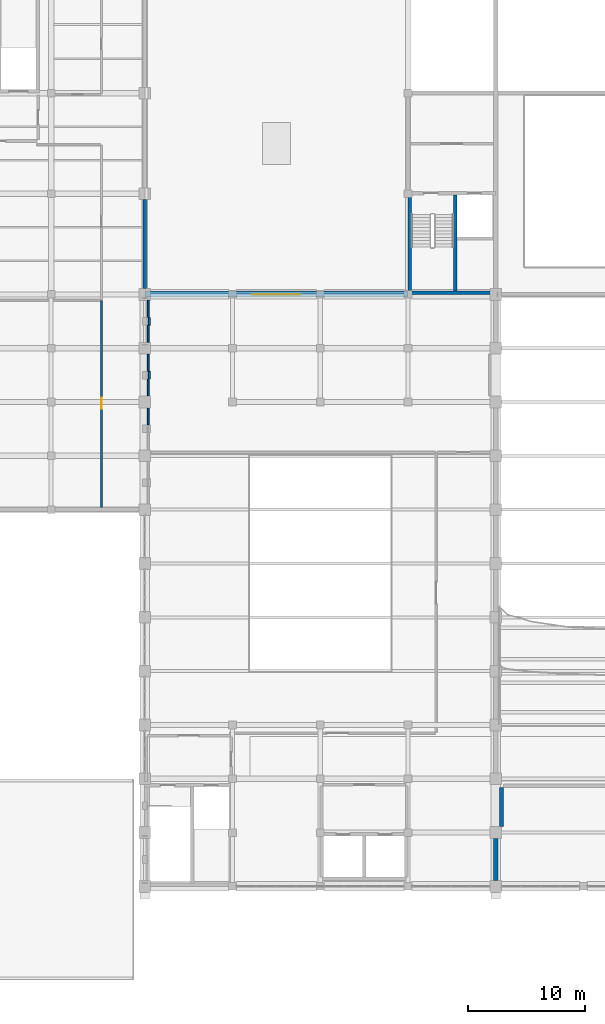
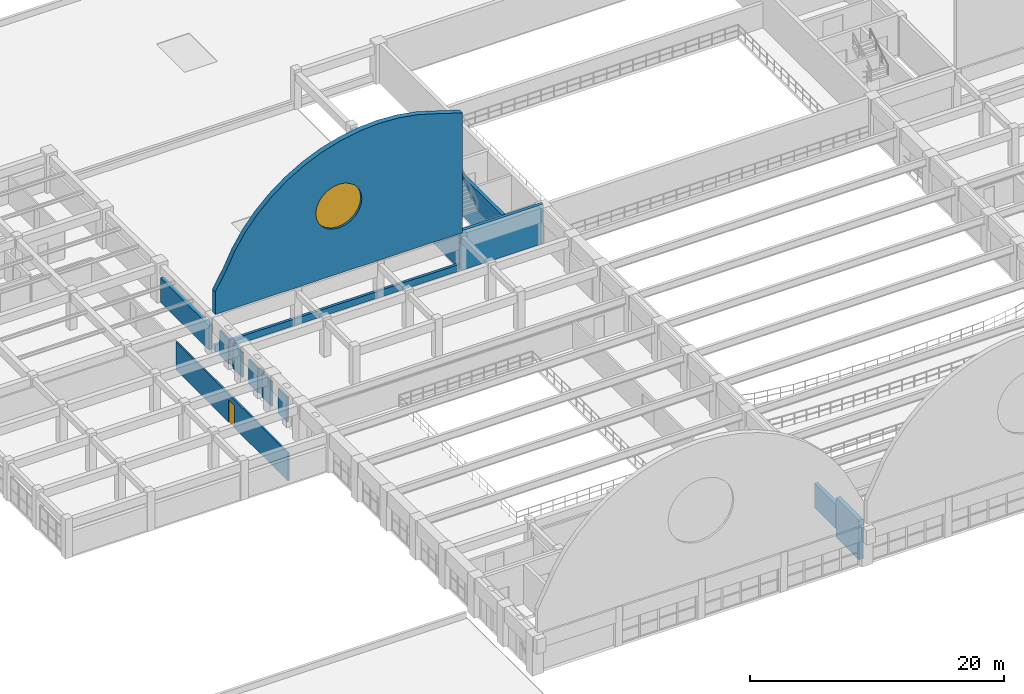
# One storey, part 56 of 74: 16 walls, 1 door, 1 window, 2 openings.
"""IFC4 building model written with IfcOpenShell, lengths in metres."""

from ifc_helpers import new_model, si_unit, direction, frame, frame_2d, origin, place, context, subcontext, project, spatial, polyline, rectangle, outline, extrude, material, layer, layer_set, type_object, element, fill, save


model = new_model("IFC4")

# Units and contexts
model_context = context("Model", 3, precision=1e-05, world=origin(), true_north=direction((0.0, 1.0)))
body_context = subcontext(model_context, "Body", "Model", "MODEL_VIEW")
ifc_project = project(units=[si_unit("LENGTHUNIT", "METRE"), si_unit("AREAUNIT", "SQUARE_METRE"), si_unit("VOLUMEUNIT", "CUBIC_METRE"), si_unit("PLANEANGLEUNIT", "RADIAN"), si_unit("MASSUNIT", "GRAM", prefix="KILO")], contexts=[model_context])

# Site, building, storey
site_placement = place(None, origin())
site = spatial("IfcSite", under=ifc_project, at=site_placement, CompositionType="ELEMENT")
building_placement = place(site_placement, origin())
building = spatial("IfcBuilding", under=site, at=building_placement, Name="Muzn Square Opera House", CompositionType="ELEMENT")
storey_placement = place(building_placement, frame((0.0, 0.0, 14.199951171875)))
storey = spatial("IfcBuildingStorey", under=building, at=storey_placement, Name="L03", CompositionType="ELEMENT", Elevation=14.199951171875)

# Walls
ifc_material_1 = material(Name="Acoustic gypsum stud partition", Category="gypsum")
ifc_layer_1 = layer(ifc_material_1, 0.320068359375, Name="Acoustic gypsum stud partition", Category="gypsum")
ifc_layer_set_1 = layer_set([ifc_layer_1], Name="Acoustic gypsum stud partition")
wall_type_1 = type_object("IfcWallType", Name="Acoustic Studio Double Wall 320mm", PredefinedType="PARTITIONING", material=ifc_layer_set_1)
wall_1_placement = place(storey_placement, frame((73.5, 27.1201171875, 0.0), z_axis=(0.0, 0.0, 1.0), x_axis=(0.0, 1.0, 0.0)))
element("IfcWall", 1, at=wall_1_placement, inside=storey, type_object=wall_type_1, Name="Room Enclosure Partition PW-L03-0371", PredefinedType="PARTITIONING", context=body_context, shape_type="SweptSolid", body=[
    extrude(rectangle(XDim=3.3349609375, YDim=0.320068359375, at=frame_2d((1.66748046875, 0.0))), origin(), (0.0, 0.0, 1.0), 2.380126953125),
])
ifc_material_2 = material(Name="Concrete C45/55", Category="concrete")
ifc_layer_2 = layer(ifc_material_2, 0.419921875, Name="Concrete C45/55", Category="concrete")
ifc_layer_set_2 = layer_set([ifc_layer_2], Name="Concrete C45/55")
wall_type_2 = type_object("IfcWallType", Name="Auditorium Acoustic Shear Wall 420mm", PredefinedType="SHEAR", material=ifc_layer_set_2)
wall_2_placement = place(storey_placement, frame((73.0, 22.489990234375, 0.0), z_axis=(0.0, 0.0, 1.0), x_axis=(0.0, 1.0, 0.0)))
element("IfcWall", 2, at=wall_2_placement, inside=storey, type_object=wall_type_2, Name="Auditorium Acoustic Shear Wall AUDW-L03-W00", PredefinedType="SHEAR", context=body_context, shape_type="SweptSolid", body=[
    extrude(rectangle(XDim=3.6201171875, YDim=0.419921875, at=frame_2d((1.81005859375, 0.0))), origin(), (0.0, 0.0, 1.0), 3.800048828125),
])
ifc_layer_3 = layer(ifc_material_2, 0.300048828125, Name="Concrete C45/55", Category="concrete")
ifc_layer_set_3 = layer_set([ifc_layer_3], Name="Concrete C45/55")
wall_type_3 = type_object("IfcWallType", Name="Core Shear Wall 300mm", PredefinedType="SHEAR", material=ifc_layer_set_3)
wall_3_placement = place(storey_placement, frame((65.5, 72.75, 0.0), z_axis=(0.0, 0.0, 1.0), x_axis=(1.0, 0.0, 0.0)))
element("IfcWall", 3, at=wall_3_placement, inside=storey, type_object=wall_type_3, Name="Core C1 Shear Wall SW-C1-L03-S", PredefinedType="SHEAR", context=body_context, shape_type="SweptSolid", body=[
    extrude(rectangle(XDim=7.5, YDim=0.300048828125, at=frame_2d((3.75, 0.0))), origin(), (0.0, 0.0, 1.0), 3.800048828125),
])
for number, where, z_axis, x_axis, name in (
    (4, (65.64990234375, 72.89990234375, 0.0), (0.0, 0.0, 1.0), (0.0, 1.0, 0.0), "Core C1 Shear Wall SW-C1-L03-W"),
    (5, (69.550048828125, 72.89990234375, 0.0), (0.0, 0.0, 1.0), (0.0, 1.0, 0.0), "Core C1 Shear Wall SW-C1-L03-DIV"),
):
    element("IfcWall", number, at=place(storey_placement, frame(where, z_axis=z_axis, x_axis=x_axis)), inside=storey, type_object=wall_type_3, Name=name, PredefinedType="SHEAR", context=body_context, shape_type="SweptSolid", body=[
        extrude(rectangle(XDim=8.2001953125, YDim=0.300048828125, at=frame_2d((4.10009765625, 0.0))), origin(), (0.0, 0.0, 1.0), 3.800048828125),
    ])
ifc_material_3 = material(Name="Concrete C40/50", Category="concrete")
ifc_layer_4 = layer(ifc_material_3, 0.340087890625, Name="Concrete C40/50", Category="concrete")
ifc_layer_set_4 = layer_set([ifc_layer_4], Name="Concrete C40/50")
wall_type_4 = type_object("IfcWallType", Name="Exterior Insulated Spandrel Wall 340mm", PredefinedType="SOLIDWALL", material=ifc_layer_set_4)
wall_4_placement = place(storey_placement, frame((43.0, 73.10009765625, 0.0), z_axis=(0.0, 0.0, 1.0), x_axis=(0.0, 1.0, 0.0)))
element("IfcWall", 6, at=wall_4_placement, inside=storey, type_object=wall_type_4, Name="Exterior Facade Wall EW-L03-226", PredefinedType="SOLIDWALL", context=body_context, shape_type="SweptSolid", body=[
    extrude(rectangle(XDim=7.599853515625, YDim=0.340087890625, at=frame_2d((3.7998046875, 0.0))), origin(), (0.0, 0.0, 1.0), 2.35009765625),
])
ifc_layer_5 = layer(ifc_material_1, 0.169921875, Name="Acoustic gypsum stud partition", Category="gypsum")
ifc_layer_set_5 = layer_set([ifc_layer_5], Name="Acoustic gypsum stud partition")
wall_type_5 = type_object("IfcWallType", Name="Gallery Partition 170mm", PredefinedType="PARTITIONING", material=ifc_layer_set_5)
wall_5_placement = place(storey_placement, frame((43.300048828125, 61.445068359375, 0.0), z_axis=(0.0, 0.0, 1.0), x_axis=(0.0, 1.0, 0.0)))
element("IfcWall", 7, at=wall_5_placement, inside=storey, type_object=wall_type_5, Name="Interior Partition PW-L03-0343", PredefinedType="PARTITIONING", context=body_context, shape_type="SweptSolid", body=[
    extrude(rectangle(XDim=1.434814453125, YDim=0.169921875, at=frame_2d((0.71728515625, 0.0))), origin(), (0.0, 0.0, 1.0), 2.380126953125),
])
for number, where, z_axis, x_axis, name in (
    (8, (43.300048828125, 63.919921875, 0.0), (0.0, 0.0, 1.0), (0.0, 1.0, 0.0), "Interior Partition PW-L03-0344"),
    (9, (43.300048828125, 66.044921875, 0.0), (0.0, 0.0, 1.0), (0.0, 1.0, 0.0), "Interior Partition PW-L03-0345"),
    (10, (43.300048828125, 68.52001953125, 0.0), (0.0, 0.0, 1.0), (0.0, 1.0, 0.0), "Interior Partition PW-L03-0346"),
    (11, (43.300048828125, 70.64501953125, 0.0), (0.0, 0.0, 1.0), (0.0, 1.0, 0.0), "Interior Partition PW-L03-0347"),
):
    element("IfcWall", number, at=place(storey_placement, frame(where, z_axis=z_axis, x_axis=x_axis)), inside=storey, type_object=wall_type_5, Name=name, PredefinedType="PARTITIONING", context=body_context, shape_type="SweptSolid", body=[
        extrude(rectangle(XDim=1.43505859375, YDim=0.169921875, at=frame_2d((0.717529296875, 0.0))), origin(), (0.0, 0.0, 1.0), 2.380126953125),
    ])
for number, where, z_axis, x_axis, name in (
    (12, (43.39990234375, 65.375, 0.0), (0.0, 0.0, 1.0), (0.0, 1.0, 0.0), "Room Enclosure Partition PW-L03-0374"),
    (13, (43.39990234375, 69.97509765625, 0.0), (0.0, 0.0, 1.0), (0.0, 1.0, 0.0), "Room Enclosure Partition PW-L03-0375"),
):
    element("IfcWall", number, at=place(storey_placement, frame(where, z_axis=z_axis, x_axis=x_axis)), inside=storey, type_object=wall_type_5, Name=name, PredefinedType="PARTITIONING", context=body_context, shape_type="SweptSolid", body=[
        extrude(rectangle(XDim=0.64990234375, YDim=0.169921875, at=frame_2d((0.324951171875, 0.0))), origin(), (0.0, 0.0, 1.0), 2.380126953125),
    ])

# Wall, opening, door
ifc_layer_6 = layer(ifc_material_1, 0.14990234375, Name="Acoustic gypsum stud partition", Category="gypsum")
ifc_layer_set_6 = layer_set([ifc_layer_6], Name="Acoustic gypsum stud partition")
wall_type_6 = type_object("IfcWallType", Name="Office Acoustic Partition 150mm", PredefinedType="PARTITIONING", material=ifc_layer_set_6)
wall_6_placement = place(storey_placement, frame((39.300048828125, 54.375, 0.0), z_axis=(0.0, 0.0, 1.0), x_axis=(0.0, 1.0, 0.0)))
wall_6 = element("IfcWall", 14, at=wall_6_placement, inside=storey, type_object=wall_type_6, Name="Interior Partition PW-L03-0367", PredefinedType="PARTITIONING", context=body_context, shape_type="SweptSolid", body=[
    extrude(rectangle(XDim=17.6650390625, YDim=0.14990234375, at=frame_2d((8.83251953125, 0.0))), origin(), (0.0, 0.0, 1.0), 2.699951171875),
])
opening_1_placement = place(wall_6_placement, frame((8.449951171875, 0.0, 0.0)))
opening_1 = element("IfcOpeningElement", 15, at=opening_1_placement, cuts=wall_6, Name="Opening DR-OF95", PredefinedType="OPENING", context=body_context, shape_type="SweptSolid", body=[
    extrude(rectangle(XDim=0.949951171875, YDim=2.14990234375, at=frame_2d((0.47509765625, 1.074951171875))), frame((0.0, 0.0849609375, 0.0), z_axis=(0.0, -1.0, 0.0), x_axis=(1.0, 0.0, 0.0)), (0.0, 0.0, 1.0), 0.169921875),
])
ifc_material_4 = material(Name="Acoustic hardwood leaf", Category="wood")
door_type = type_object("IfcDoorType", Name="Office Room Door 950x2150", OperationType="NOTDEFINED", PredefinedType="DOOR", material=ifc_material_4)
door_placement = place(opening_1_placement, origin())
door = element("IfcDoor", 16, at=door_placement, inside=storey, type_object=door_type, Name="Opera Company Administration Office Door DR-L03-0108", OperationType="SINGLE_SWING_LEFT", OverallHeight=2.14990234375, OverallWidth=0.949951171875, PredefinedType="DOOR", context=body_context, shape_type="SweptSolid", body=[
    extrude(rectangle(XDim=0.949951171875, YDim=2.14990234375, at=frame_2d((0.47509765625, 1.074951171875))), frame((0.0, 0.02490234375, 0.0), z_axis=(0.0, -1.0, 0.0), x_axis=(1.0, 0.0, 0.0)), (0.0, 0.0, 1.0), 0.050048828125),
])
fill(opening_1, door)

# Wall
ifc_material_5 = material(Name="Precast concrete C40/50", Category="concrete")
ifc_layer_7 = layer(ifc_material_5, 0.239990234375, Name="Precast concrete C40/50", Category="concrete")
ifc_layer_set_7 = layer_set([ifc_layer_7], Name="Precast concrete C40/50")
wall_type_7 = type_object("IfcWallType", Name="Roof Parapet Wall 240mm", PredefinedType="PARAPET", material=ifc_layer_set_7)
wall_7_placement = place(storey_placement, frame((43.14990234375, 72.75, 0.0), z_axis=(0.0, 0.0, 1.0), x_axis=(1.0, 0.0, 0.0)))
element("IfcWall", 17, at=wall_7_placement, inside=storey, type_object=wall_type_7, Name="Roof Parapet ROOF-L03-SIDEW-S", PredefinedType="PARAPET", context=body_context, shape_type="SweptSolid", body=[
    extrude(rectangle(XDim=22.2001953125, YDim=0.239990234375, at=frame_2d((11.10009765625, 0.0))), origin(), (0.0, 0.0, 1.0), 0.650146484375),
])

# Wall, opening, window
ifc_layer_8 = layer(ifc_material_5, 0.4599609375, Name="Precast concrete C40/50", Category="concrete")
ifc_layer_set_8 = layer_set([ifc_layer_8], Name="Precast concrete C40/50")
wall_type_8 = type_object("IfcWallType", Name="Semicircular Pale Render Gable Wall 460mm", PredefinedType="SOLIDWALL", material=ifc_layer_set_8)
wall_8_placement = place(storey_placement, frame((43.0048828125, 72.60009765625, 3.800048828125), z_axis=(0.0, 0.0, 1.0), x_axis=(1.0, 0.0, 0.0)))
wall_8 = element("IfcWall", 18, at=wall_8_placement, inside=storey, type_object=wall_type_8, Name="North Semicircular Pale Render Gable West Salon Barrel Vault", PredefinedType="SOLIDWALL", context=body_context, shape_type="SweptSolid", body=[
    extrude(outline(polyline([(0.0, 0.0), (22.4951171875, 0.0), (22.4951171875, 11.535888671875), (20.237060546875, 12.247802734375), (18.5302734375, 12.763427734375), (16.77490234375, 13.07568359375), (14.9951171875, 13.179931640625), (13.215087890625, 13.07568359375), (11.459716796875, 12.763427734375), (9.7529296875, 12.247802734375), (8.118408203125, 11.535888671875), (6.578369140625, 10.637451171875), (5.154296875, 9.564697265625), (3.865478515625, 8.332763671875), (2.729736328125, 6.958251953125), (1.7626953125, 5.460205078125), (0.97802734375, 3.859375), (0.0, 2.177490234375), (0.0, 0.0)])), frame((0.0, 0.22998046875, 0.0), z_axis=(0.0, -1.0, 0.0), x_axis=(1.0, 0.0, 0.0)), (0.0, 0.0, 1.0), 0.4599609375),
])
opening_2_placement = place(wall_8_placement, frame((9.1474609375, 0.0, 4.39990234375)))
opening_2 = element("IfcOpeningElement", 19, at=opening_2_placement, cuts=wall_8, Name="Opening WN-OC42", PredefinedType="OPENING", context=body_context, shape_type="SweptSolid", body=[
    extrude(outline(polyline([(4.199951171875, 2.10009765625), (4.12841796875, 2.6435546875), (3.918701171875, 3.14990234375), (3.5849609375, 3.5849609375), (3.14990234375, 3.918701171875), (2.6435546875, 4.12841796875), (2.10009765625, 4.199951171875), (1.556396484375, 4.12841796875), (1.050048828125, 3.918701171875), (0.614990234375, 3.5849609375), (0.28125, 3.14990234375), (0.071533203125, 2.6435546875), (0.0, 2.10009765625), (0.071533203125, 1.556396484375), (0.28125, 1.050048828125), (0.614990234375, 0.614990234375), (1.050048828125, 0.28125), (1.556396484375, 0.071533203125), (2.099853515625, 0.0), (2.6435546875, 0.071533203125), (3.14990234375, 0.28125), (3.5849609375, 0.614990234375), (3.918701171875, 1.050048828125), (4.12841796875, 1.556396484375), (4.199951171875, 2.10009765625)])), frame((0.0, 0.239990234375, 0.0), z_axis=(0.0, -1.0, 0.0), x_axis=(1.0, 0.0, 0.0)), (0.0, 0.0, 1.0), 0.47998046875),
])
ifc_material_6 = material(Name="Low-E laminated acoustic double glazing", Category="glass")
window_type = type_object("IfcWindowType", Name="North Gable Oculus Window D4200", PartitioningType="SINGLE_PANEL", PredefinedType="WINDOW", material=ifc_material_6)
window_placement = place(opening_2_placement, origin())
window = element("IfcWindow", 20, at=window_placement, inside=storey, type_object=window_type, Name="North Gable Round Oculus Window V1", OverallHeight=4.199951171875, OverallWidth=4.199951171875, PartitioningType="SINGLE_PANEL", PredefinedType="WINDOW", context=body_context, shape_type="SweptSolid", body=[
    extrude(outline(polyline([(4.199951171875, 2.10009765625), (4.12841796875, 2.6435546875), (3.918701171875, 3.14990234375), (3.5849609375, 3.5849609375), (3.14990234375, 3.918701171875), (2.6435546875, 4.12841796875), (2.10009765625, 4.199951171875), (1.556396484375, 4.12841796875), (1.050048828125, 3.918701171875), (0.614990234375, 3.5849609375), (0.28125, 3.14990234375), (0.071533203125, 2.6435546875), (0.0, 2.10009765625), (0.071533203125, 1.556396484375), (0.28125, 1.050048828125), (0.614990234375, 0.614990234375), (1.050048828125, 0.28125), (1.556396484375, 0.071533203125), (2.099853515625, 0.0), (2.6435546875, 0.071533203125), (3.14990234375, 0.28125), (3.5849609375, 0.614990234375), (3.918701171875, 1.050048828125), (4.12841796875, 1.556396484375), (4.199951171875, 2.10009765625)])), frame((0.0, 0.030029296875, 0.0), z_axis=(0.0, -1.0, 0.0), x_axis=(1.0, 0.0, 0.0)), (0.0, 0.0, 1.0), 0.06005859375),
])
fill(opening_2, window)

save(model, "model.ifc")
